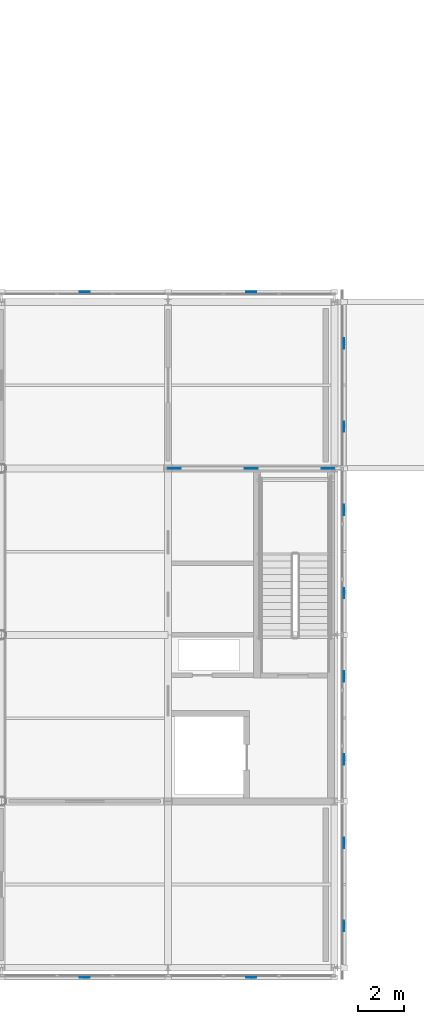
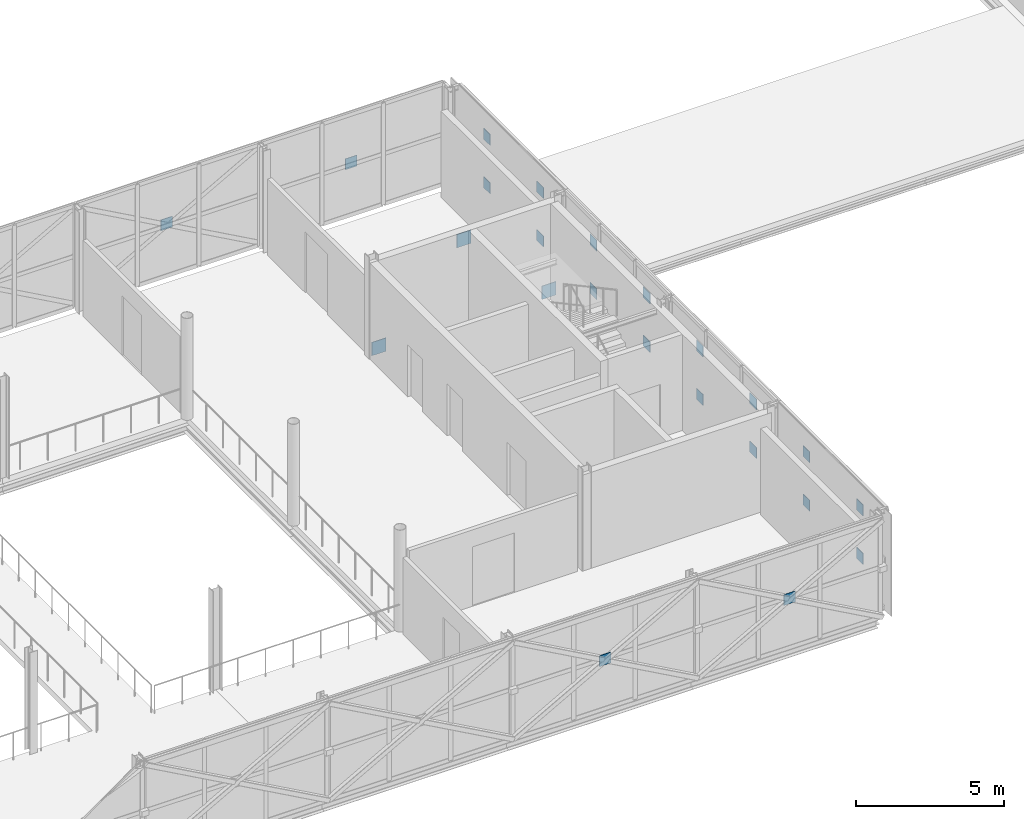
# One storey, part 77 of 103: 23 plates.
"""IFC4 building model written with IfcOpenShell, lengths in metres."""

from ifc_helpers import new_model, si_unit, direction, frame, origin, origin_2d, place, context, subcontext, project, spatial, rectangle, extrude, material, layer, layer_set, type_object, element, save


model = new_model("IFC4")

# Units and contexts
model_context = context("Model", 3, precision=1e-05, world=origin(), true_north=direction((0.0, 1.0)))
body_context = subcontext(model_context, "Body", "Model", "MODEL_VIEW")
ifc_project = project(units=[si_unit("LENGTHUNIT", "METRE"), si_unit("AREAUNIT", "SQUARE_METRE"), si_unit("VOLUMEUNIT", "CUBIC_METRE"), si_unit("PLANEANGLEUNIT", "RADIAN"), si_unit("MASSUNIT", "GRAM", prefix="KILO")], contexts=[model_context])

# Site, building, storey
site_placement = place(None, origin())
site = spatial("IfcSite", under=ifc_project, at=site_placement, CompositionType="ELEMENT")
building_placement = place(site_placement, origin())
building = spatial("IfcBuilding", under=site, at=building_placement, Name="Zlatovets Crest Museum", CompositionType="ELEMENT")
storey_placement = place(building_placement, frame((0.0, 0.0, 12.89990234375)))
storey = spatial("IfcBuildingStorey", under=building, at=storey_placement, Name="L03", CompositionType="ELEMENT", Elevation=12.89990234375)

# Plates
ifc_material = material(Name="Structural steel S355J2", Category="steel")
ifc_layer_1 = layer(ifc_material, 0.02490234375)
ifc_layer_set_1 = layer_set([ifc_layer_1], Name="Structural steel S355J2")
plate_type_1 = type_object("IfcPlateType", Name="Gusset_GP-01", PredefinedType="USERDEFINED", material=ifc_layer_set_1)
for number, where, z_axis, x_axis, name in (
    (1, (101.080078125, 21.60009765625, 0.0048828125), (0.0, 0.0, 1.0), (1.0, 0.0, 0.0), "V2 L03 Brace End Gusset Plate GP-01"),
    (2, (107.719970703125, 21.60009765625, 0.0048828125), (0.0, 0.0, 1.0), (1.0, 0.0, 0.0), "V2 L03 Brace End Gusset Plate GP-01"),
    (3, (104.39990234375, 21.60009765625, 3.294921875), (0.0, 0.0, 1.0), (1.0, 0.0, 0.0), "V2 L03 Brace End Gusset Plate GP-01"),
):
    element("IfcPlate", number, at=place(storey_placement, frame(where, z_axis=z_axis, x_axis=x_axis)), inside=storey, type_object=plate_type_1, Name=name, ObjectType="GUSSET", PredefinedType="USERDEFINED", context=body_context, shape_type="SweptSolid", body=[
        extrude(rectangle(XDim=0.550048828125, YDim=0.02490234375, at=origin_2d()), origin(), (0.0, 0.0, 1.0), 0.550048828125),
    ])
ifc_layer_2 = layer(ifc_material, 0.02001953125)
ifc_layer_set_2 = layer_set([ifc_layer_2], Name="Structural steel S355J2")
plate_type_2 = type_object("IfcPlateType", Name="Gusset_GP-04", PredefinedType="USERDEFINED", material=ifc_layer_set_2)
for number, where, z_axis, x_axis, name in (
    (4, (97.199951171875, -0.419921875, 1.875), (0.0, 0.0, 1.0), (1.0, 0.0, 0.0), "X-Brace Crossing Node Gusset Plate GP-04"),
    (5, (104.39990234375, -0.419921875, 1.875), (0.0, 0.0, 1.0), (1.0, 0.0, 0.0), "X-Brace Crossing Node Gusset Plate GP-04"),
):
    element("IfcPlate", number, at=place(storey_placement, frame(where, z_axis=z_axis, x_axis=x_axis)), inside=storey, type_object=plate_type_2, Name=name, ObjectType="GUSSET", PredefinedType="USERDEFINED", context=body_context, shape_type="SweptSolid", body=[
        extrude(rectangle(XDim=0.449951171875, YDim=0.02001953125, at=origin_2d()), origin(), (0.0, 0.0, 1.0), 0.449951171875),
    ])
for number, where, z_axis, x_axis, name in (
    (6, (108.419921875, 1.800048828125, 0.875), (0.0, 0.0, 1.0), (1.0, 0.0, 0.0), "X-Brace Crossing Node Gusset Plate GP-04"),
    (7, (108.419921875, 5.39990234375, 0.875), (0.0, 0.0, 1.0), (1.0, 0.0, 0.0), "X-Brace Crossing Node Gusset Plate GP-04"),
    (8, (108.419921875, 1.800048828125, 2.875), (0.0, 0.0, 1.0), (1.0, 0.0, 0.0), "X-Brace Crossing Node Gusset Plate GP-04"),
    (9, (108.419921875, 5.39990234375, 2.875), (0.0, 0.0, 1.0), (1.0, 0.0, 0.0), "X-Brace Crossing Node Gusset Plate GP-04"),
    (10, (108.419921875, 9.0, 0.875), (0.0, 0.0, 1.0), (1.0, 0.0, 0.0), "X-Brace Crossing Node Gusset Plate GP-04"),
    (11, (108.419921875, 12.60009765625, 0.875), (0.0, 0.0, 1.0), (1.0, 0.0, 0.0), "X-Brace Crossing Node Gusset Plate GP-04"),
    (12, (108.419921875, 9.0, 2.875), (0.0, 0.0, 1.0), (1.0, 0.0, 0.0), "X-Brace Crossing Node Gusset Plate GP-04"),
    (13, (108.419921875, 12.60009765625, 2.875), (0.0, 0.0, 1.0), (1.0, 0.0, 0.0), "X-Brace Crossing Node Gusset Plate GP-04"),
    (14, (108.419921875, 16.199951171875, 0.875), (0.0, 0.0, 1.0), (1.0, 0.0, 0.0), "X-Brace Crossing Node Gusset Plate GP-04"),
    (15, (108.419921875, 19.800048828125, 0.875), (0.0, 0.0, 1.0), (1.0, 0.0, 0.0), "X-Brace Crossing Node Gusset Plate GP-04"),
    (16, (108.419921875, 16.199951171875, 2.875), (0.0, 0.0, 1.0), (1.0, 0.0, 0.0), "X-Brace Crossing Node Gusset Plate GP-04"),
    (17, (108.419921875, 19.800048828125, 2.875), (0.0, 0.0, 1.0), (1.0, 0.0, 0.0), "X-Brace Crossing Node Gusset Plate GP-04"),
    (18, (108.419921875, 23.39990234375, 0.875), (0.0, 0.0, 1.0), (1.0, 0.0, 0.0), "X-Brace Crossing Node Gusset Plate GP-04"),
    (19, (108.419921875, 27.0, 0.875), (0.0, 0.0, 1.0), (1.0, 0.0, 0.0), "X-Brace Crossing Node Gusset Plate GP-04"),
    (20, (108.419921875, 23.39990234375, 2.875), (0.0, 0.0, 1.0), (1.0, 0.0, 0.0), "X-Brace Crossing Node Gusset Plate GP-04"),
    (21, (108.419921875, 27.0, 2.875), (0.0, 0.0, 1.0), (1.0, 0.0, 0.0), "X-Brace Crossing Node Gusset Plate GP-04"),
):
    element("IfcPlate", number, at=place(storey_placement, frame(where, z_axis=z_axis, x_axis=x_axis)), inside=storey, type_object=plate_type_2, Name=name, ObjectType="GUSSET", PredefinedType="USERDEFINED", context=body_context, shape_type="SweptSolid", body=[
        extrude(rectangle(XDim=0.02001953125, YDim=0.449951171875, at=origin_2d()), origin(), (0.0, 0.0, 1.0), 0.449951171875),
    ])
for number, where, z_axis, x_axis, name in (
    (22, (104.39990234375, 29.219970703125, 1.875), (0.0, 0.0, 1.0), (1.0, 0.0, 0.0), "X-Brace Crossing Node Gusset Plate GP-04"),
    (23, (97.199951171875, 29.219970703125, 1.875), (0.0, 0.0, 1.0), (1.0, 0.0, 0.0), "X-Brace Crossing Node Gusset Plate GP-04"),
):
    element("IfcPlate", number, at=place(storey_placement, frame(where, z_axis=z_axis, x_axis=x_axis)), inside=storey, type_object=plate_type_2, Name=name, ObjectType="GUSSET", PredefinedType="USERDEFINED", context=body_context, shape_type="SweptSolid", body=[
        extrude(rectangle(XDim=0.449951171875, YDim=0.02001953125, at=origin_2d()), origin(), (0.0, 0.0, 1.0), 0.449951171875),
    ])

save(model, "model.ifc")
